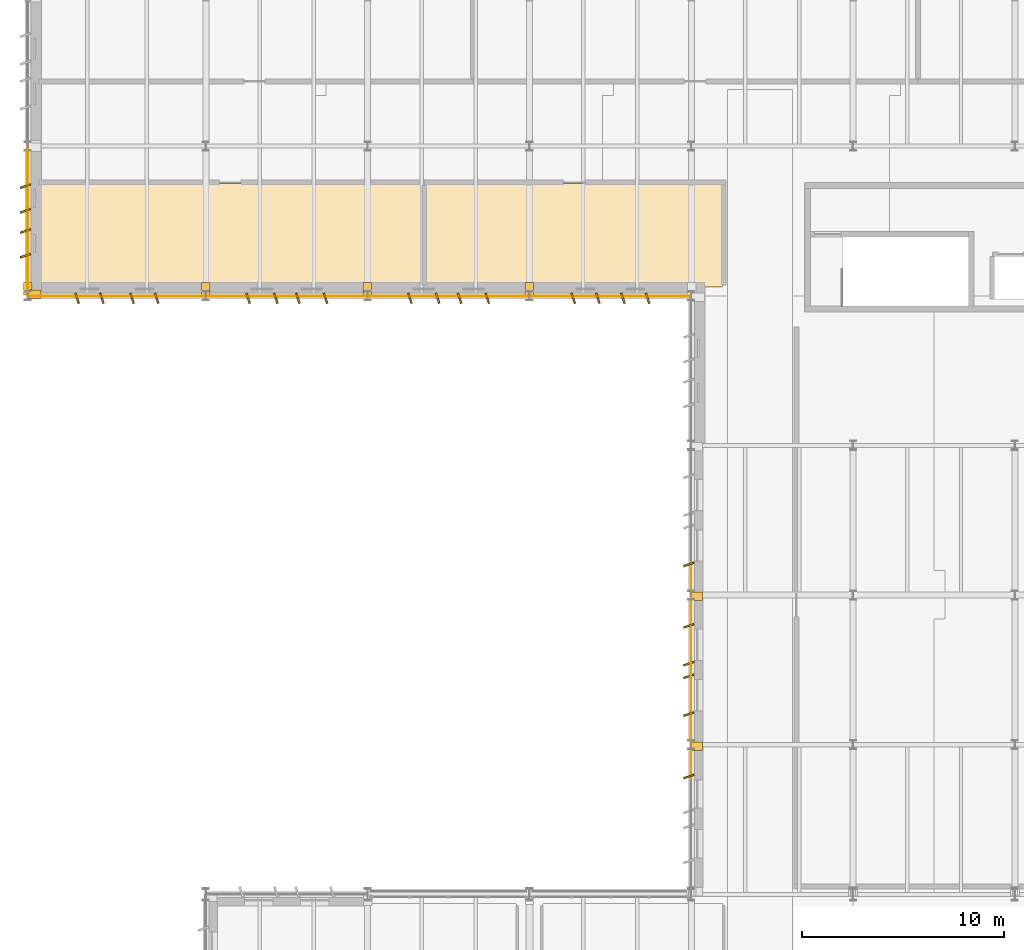
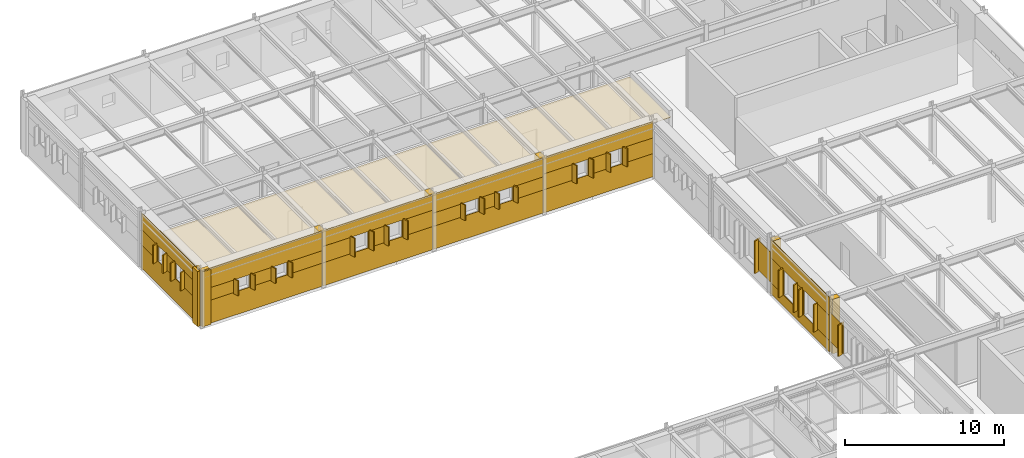
# One storey, part 62 of 75: 67 coverings.
"""IFC4 building model written with IfcOpenShell, lengths in metres."""

from ifc_helpers import new_model, si_unit, direction, frame, frame_2d, origin, origin_2d, place, context, subcontext, project, spatial, polyline, rectangle, outline, extrude, material, layer, layer_set, type_object, element, save


model = new_model("IFC4")

# Units and contexts
model_context = context("Model", 3, precision=1e-05, world=origin(), true_north=direction((0.0, 1.0)))
body_context = subcontext(model_context, "Body", "Model", "MODEL_VIEW")
ifc_project = project(units=[si_unit("LENGTHUNIT", "METRE"), si_unit("AREAUNIT", "SQUARE_METRE"), si_unit("VOLUMEUNIT", "CUBIC_METRE"), si_unit("PLANEANGLEUNIT", "RADIAN"), si_unit("MASSUNIT", "GRAM", prefix="KILO")], contexts=[model_context])

# Site, building, storey
site_placement = place(None, origin())
site = spatial("IfcSite", under=ifc_project, at=site_placement, CompositionType="ELEMENT")
building_placement = place(site_placement, origin())
building = spatial("IfcBuilding", under=site, at=building_placement, Name="Valkorina Park Police Headquarters", CompositionType="ELEMENT")
storey_placement = place(building_placement, frame((0.0, 0.0, 5.39990234375)))
storey = spatial("IfcBuildingStorey", under=building, at=storey_placement, Name="L02", CompositionType="ELEMENT", Elevation=5.39990234375)

# Coverings
ifc_material_1 = material(Name="Acoustic mineral board")
ifc_layer_1 = layer(ifc_material_1, 0.02490234375)
ifc_layer_set_1 = layer_set([ifc_layer_1], Name="Acoustic mineral board")
covering_type_1 = type_object("IfcCoveringType", Name="COV-CEILING-ACOUST", PredefinedType="CEILING", material=ifc_layer_set_1)
covering_1_placement = place(storey_placement, frame((0.0, 0.0, 3.705078125)))
element("IfcCovering", 1, at=covering_1_placement, inside=storey, type_object=covering_type_1, Name="Detention Cell Block C (Juvenile Segregated) Acoustic Suspended Ceiling", PredefinedType="CEILING", context=body_context, shape_type="SweptSolid", body=[
    extrude(outline(polyline([(19.55859375, 89.304443359375), (19.5595703125, 89.312255859375), (19.56005859375, 89.320068359375), (19.56005859375, 94.280029296875), (19.5595703125, 94.287841796875), (19.55859375, 94.295654296875), (19.556640625, 94.30322265625), (19.553955078125, 94.310546875), (19.550537109375, 94.317626953125), (19.54638671875, 94.324462890625), (19.541748046875, 94.330810546875), (19.53662109375, 94.336669921875), (19.53076171875, 94.341796875), (19.5244140625, 94.346435546875), (19.517578125, 94.3505859375), (19.510498046875, 94.35400390625), (19.503173828125, 94.356689453125), (19.49560546875, 94.3583984375), (19.48779296875, 94.359619140625), (19.47998046875, 94.360107421875), (0.52001953125, 94.360107421875), (0.51220703125, 94.359619140625), (0.50439453125, 94.3583984375), (0.496826171875, 94.356689453125), (0.489501953125, 94.35400390625), (0.482421875, 94.3505859375), (0.4755859375, 94.346435546875), (0.46923828125, 94.341796875), (0.46337890625, 94.336669921875), (0.458251953125, 94.330810546875), (0.45361328125, 94.324462890625), (0.449462890625, 94.317626953125), (0.446044921875, 94.310546875), (0.443359375, 94.30322265625), (0.44140625, 94.295654296875), (0.4404296875, 94.287841796875), (0.43994140625, 94.280029296875), (0.43994140625, 89.320068359375), (0.4404296875, 89.312255859375), (0.44140625, 89.304443359375), (0.443359375, 89.296875), (0.446044921875, 89.289306640625), (0.449462890625, 89.2822265625), (0.45361328125, 89.275634765625), (0.458251953125, 89.269287109375), (0.46337890625, 89.263427734375), (0.46923828125, 89.25830078125), (0.4755859375, 89.25341796875), (0.482421875, 89.24951171875), (0.489501953125, 89.24609375), (0.496826171875, 89.243408203125), (0.50439453125, 89.241455078125), (0.51220703125, 89.240478515625), (0.52001953125, 89.239990234375), (19.47998046875, 89.239990234375), (19.48779296875, 89.240478515625), (19.49560546875, 89.241455078125), (19.503173828125, 89.243408203125), (19.510498046875, 89.24609375), (19.517578125, 89.24951171875), (19.5244140625, 89.25341796875), (19.53076171875, 89.25830078125), (19.53662109375, 89.263427734375), (19.541748046875, 89.269287109375), (19.54638671875, 89.275634765625), (19.550537109375, 89.2822265625), (19.553955078125, 89.289306640625), (19.556640625, 89.296875), (19.55859375, 89.304443359375)])), origin(), (0.0, 0.0, 1.0), 0.02490234375),
])
covering_2_placement = place(storey_placement, frame((0.0, 0.0, 3.705078125)))
element("IfcCovering", 2, at=covering_2_placement, inside=storey, type_object=covering_type_1, Name="Detention Cell Block D (Constant Observation) Acoustic Suspended Ceiling", PredefinedType="CEILING", context=body_context, shape_type="SweptSolid", body=[
    extrude(outline(polyline([(34.3583984375, 89.304443359375), (34.359619140625, 89.312255859375), (34.360107421875, 89.320068359375), (34.360107421875, 94.280029296875), (34.359619140625, 94.287841796875), (34.3583984375, 94.295654296875), (34.356689453125, 94.30322265625), (34.35400390625, 94.310546875), (34.3505859375, 94.317626953125), (34.346435546875, 94.324462890625), (34.341796875, 94.330810546875), (34.336669921875, 94.336669921875), (34.330810546875, 94.341796875), (34.324462890625, 94.346435546875), (34.317626953125, 94.3505859375), (34.310546875, 94.35400390625), (34.30322265625, 94.356689453125), (34.295654296875, 94.3583984375), (34.287841796875, 94.359619140625), (34.280029296875, 94.360107421875), (19.719970703125, 94.360107421875), (19.712158203125, 94.359619140625), (19.704345703125, 94.3583984375), (19.69677734375, 94.356689453125), (19.689453125, 94.35400390625), (19.682373046875, 94.3505859375), (19.675537109375, 94.346435546875), (19.669189453125, 94.341796875), (19.663330078125, 94.336669921875), (19.658203125, 94.330810546875), (19.653564453125, 94.324462890625), (19.6494140625, 94.317626953125), (19.64599609375, 94.310546875), (19.643310546875, 94.30322265625), (19.6416015625, 94.295654296875), (19.640380859375, 94.287841796875), (19.639892578125, 94.280029296875), (19.639892578125, 89.320068359375), (19.640380859375, 89.312255859375), (19.6416015625, 89.304443359375), (19.643310546875, 89.296875), (19.64599609375, 89.289306640625), (19.6494140625, 89.2822265625), (19.653564453125, 89.275634765625), (19.658203125, 89.269287109375), (19.663330078125, 89.263427734375), (19.669189453125, 89.25830078125), (19.675537109375, 89.25341796875), (19.682373046875, 89.24951171875), (19.689453125, 89.24609375), (19.69677734375, 89.243408203125), (19.704345703125, 89.241455078125), (19.712158203125, 89.240478515625), (19.719970703125, 89.239990234375), (34.280029296875, 89.239990234375), (34.287841796875, 89.240478515625), (34.295654296875, 89.241455078125), (34.30322265625, 89.243408203125), (34.310546875, 89.24609375), (34.317626953125, 89.24951171875), (34.324462890625, 89.25341796875), (34.330810546875, 89.25830078125), (34.336669921875, 89.263427734375), (34.341796875, 89.269287109375), (34.346435546875, 89.275634765625), (34.3505859375, 89.2822265625), (34.35400390625, 89.289306640625), (34.356689453125, 89.296875), (34.3583984375, 89.304443359375)])), origin(), (0.0, 0.0, 1.0), 0.02490234375),
])
ifc_material_2 = material(Name="Precast concrete C40/50", Category="concrete")
ifc_layer_2 = layer(ifc_material_2, 0.044921875)
ifc_layer_set_2 = layer_set([ifc_layer_2], Name="Precast concrete C40/50")
covering_type_2 = type_object("IfcCoveringType", Name="COV-CLAD-DOLOMITE", PredefinedType="CLADDING", material=ifc_layer_set_2)
covering_3_placement = place(storey_placement, frame((33.090087890625, 66.534912109375, 0.000244140625), z_axis=(0.0, 0.0, 1.0), x_axis=(0.0, 1.0, 0.0)))
element("IfcCovering", 3, at=covering_3_placement, inside=storey, type_object=covering_type_2, Name="L02 Exterior Joint Closure Pilaster B 1014", PredefinedType="CLADDING", context=body_context, shape_type="SweptSolid", body=[
    extrude(rectangle(XDim=0.419921875, YDim=0.52197265625, at=origin_2d()), origin(), (0.0, 0.0, 1.0), 4.169921875),
])
covering_4_placement = place(storey_placement, frame((32.679931640625, 65.031494140625, 0.7802734375), z_axis=(0.0, 0.0, 1.0), x_axis=(-0.948323655206, -0.317304656405, 0.0)))
element("IfcCovering", 4, at=covering_4_placement, inside=storey, type_object=covering_type_2, Name="Slanted 18.5-deg Precast Window Slot Fin 1018", PredefinedType="CLADDING", context=body_context, shape_type="SweptSolid", body=[
    extrude(rectangle(XDim=0.5400390625, YDim=0.090087890625, at=origin_2d()), origin(), (0.0, 0.0, 1.0), 2.389892578125),
])
covering_5_placement = place(storey_placement, frame((32.784912109375, 64.92138671875, 0.8701171875), z_axis=(0.0, 0.0, 1.0), x_axis=(0.0, 1.0, 0.0)))
element("IfcCovering", 5, at=covering_5_placement, inside=storey, type_object=covering_type_2, Name="L02 Calm Concrete Base Slot Pier 1023", PredefinedType="CLADDING", context=body_context, shape_type="SweptSolid", body=[
    extrude(rectangle(XDim=1.65869140625, YDim=0.044921875, at=frame_2d((0.829345703125, 0.0))), origin(), (0.0, 0.0, 1.0), 2.2099609375),
])
covering_6_placement = place(storey_placement, frame((33.090087890625, 73.93505859375, 0.000244140625), z_axis=(0.0, 0.0, 1.0), x_axis=(0.0, 1.0, 0.0)))
element("IfcCovering", 6, at=covering_6_placement, inside=storey, type_object=covering_type_2, Name="L02 Exterior Joint Closure Pilaster B 1024", PredefinedType="CLADDING", context=body_context, shape_type="SweptSolid", body=[
    extrude(rectangle(XDim=0.419921875, YDim=0.52197265625, at=origin_2d()), origin(), (0.0, 0.0, 1.0), 4.169921875),
])
for number, where, z_axis, x_axis, name in (
    (7, (32.679931640625, 68.11767578125, 0.7802734375), (0.0, 0.0, 1.0), (-0.948323655206, -0.317304656405, 0.0), "Slanted 18.5-deg Precast Window Slot Fin 1025"),
    (8, (32.679931640625, 69.987548828125, 0.7802734375), (0.0, 0.0, 1.0), (-0.948323655206, -0.317304656405, 0.0), "Slanted 18.5-deg Precast Window Slot Fin 1026"),
    (9, (32.679931640625, 70.6123046875, 0.7802734375), (0.0, 0.0, 1.0), (-0.948323655206, -0.317304656405, 0.0), "Slanted 18.5-deg Precast Window Slot Fin 1027"),
    (10, (32.679931640625, 72.482421875, 0.7802734375), (0.0, 0.0, 1.0), (-0.948323655206, -0.317304656405, 0.0), "Slanted 18.5-deg Precast Window Slot Fin 1028"),
):
    element("IfcCovering", number, at=place(storey_placement, frame(where, z_axis=z_axis, x_axis=x_axis)), inside=storey, type_object=covering_type_2, Name=name, PredefinedType="CLADDING", context=body_context, shape_type="SweptSolid", body=[
        extrude(rectangle(XDim=0.5400390625, YDim=0.090087890625, at=origin_2d()), origin(), (0.0, 0.0, 1.0), 2.090087890625),
    ])
covering_7_placement = place(storey_placement, frame((32.784912109375, 66.6201171875, 0.0), z_axis=(0.0, 0.0, 1.0), x_axis=(0.0, 1.0, 0.0)))
element("IfcCovering", 11, at=covering_7_placement, inside=storey, type_object=covering_type_2, Name="L02 Calm Concrete Base Sill Spandrel 1029", PredefinedType="CLADDING", context=body_context, shape_type="SweptSolid", body=[
    extrude(rectangle(XDim=7.35986328125, YDim=0.044921875, at=frame_2d((3.679931640625, 0.0))), origin(), (0.0, 0.0, 1.0), 0.8701171875),
])
covering_8_placement = place(storey_placement, frame((32.784912109375, 66.6201171875, 2.780029296875), z_axis=(0.0, 0.0, 1.0), x_axis=(0.0, 1.0, 0.0)))
element("IfcCovering", 12, at=covering_8_placement, inside=storey, type_object=covering_type_2, Name="L02 Calm Concrete Base Lintel Spandrel 1030", PredefinedType="CLADDING", context=body_context, shape_type="SweptSolid", body=[
    extrude(rectangle(XDim=7.35986328125, YDim=0.044921875, at=frame_2d((3.679931640625, 0.0))), origin(), (0.0, 0.0, 1.0), 1.39013671875),
])
covering_9_placement = place(storey_placement, frame((32.784912109375, 66.6201171875, 0.8701171875), z_axis=(0.0, 0.0, 1.0), x_axis=(0.0, 1.0, 0.0)))
element("IfcCovering", 13, at=covering_9_placement, inside=storey, type_object=covering_type_2, Name="L02 Calm Concrete Base Slot Pier 1031", PredefinedType="CLADDING", context=body_context, shape_type="SweptSolid", body=[
    extrude(rectangle(XDim=1.607421875, YDim=0.044921875, at=frame_2d((0.8037109375, 0.0))), origin(), (0.0, 0.0, 1.0), 1.909912109375),
])
covering_10_placement = place(storey_placement, frame((32.784912109375, 69.877685546875, 0.8701171875), z_axis=(0.0, 0.0, 1.0), x_axis=(0.0, 1.0, 0.0)))
element("IfcCovering", 14, at=covering_10_placement, inside=storey, type_object=covering_type_2, Name="L02 Calm Concrete Base Slot Pier 1032", PredefinedType="CLADDING", context=body_context, shape_type="SweptSolid", body=[
    extrude(rectangle(XDim=0.8447265625, YDim=0.044921875, at=frame_2d((0.42236328125, 0.0))), origin(), (0.0, 0.0, 1.0), 1.909912109375),
])
covering_11_placement = place(storey_placement, frame((32.784912109375, 72.372314453125, 0.8701171875), z_axis=(0.0, 0.0, 1.0), x_axis=(0.0, 1.0, 0.0)))
element("IfcCovering", 15, at=covering_11_placement, inside=storey, type_object=covering_type_2, Name="L02 Calm Concrete Base Slot Pier 1033", PredefinedType="CLADDING", context=body_context, shape_type="SweptSolid", body=[
    extrude(rectangle(XDim=1.607666015625, YDim=0.044921875, at=frame_2d((0.8037109375, 0.0))), origin(), (0.0, 0.0, 1.0), 1.909912109375),
])
covering_12_placement = place(storey_placement, frame((32.679931640625, 75.517578125, 0.7802734375), z_axis=(0.0, 0.0, 1.0), x_axis=(-0.948323655206, -0.317304656405, 0.0)))
element("IfcCovering", 16, at=covering_12_placement, inside=storey, type_object=covering_type_2, Name="Slanted 18.5-deg Precast Window Slot Fin 1035", PredefinedType="CLADDING", context=body_context, shape_type="SweptSolid", body=[
    extrude(rectangle(XDim=0.5400390625, YDim=0.090087890625, at=origin_2d()), origin(), (0.0, 0.0, 1.0), 2.489990234375),
])
covering_13_placement = place(storey_placement, frame((32.784912109375, 74.02001953125, 0.8701171875), z_axis=(0.0, 0.0, 1.0), x_axis=(0.0, 1.0, 0.0)))
element("IfcCovering", 17, at=covering_13_placement, inside=storey, type_object=covering_type_2, Name="L02 Calm Concrete Base Slot Pier 1041", PredefinedType="CLADDING", context=body_context, shape_type="SweptSolid", body=[
    extrude(rectangle(XDim=1.607666015625, YDim=0.044921875, at=frame_2d((0.8037109375, 0.0))), origin(), (0.0, 0.0, 1.0), 2.31005859375),
])
covering_14_placement = place(storey_placement, frame((24.7900390625, 89.139892578125, 0.0), z_axis=(0.0, 0.0, 1.0), x_axis=(1.0, 0.0, 0.0)))
element("IfcCovering", 18, at=covering_14_placement, inside=storey, type_object=covering_type_2, Name="L02 Exterior Joint Closure Pilaster B 1055", PredefinedType="CLADDING", context=body_context, shape_type="SweptSolid", body=[
    extrude(rectangle(XDim=0.419921875, YDim=0.612060546875, at=origin_2d()), origin(), (0.0, 0.0, 1.0), 4.219970703125),
])
for number, where, z_axis, x_axis, name in (
    (19, (30.638916015625, 88.679931640625, 1.68017578125), (0.0, 0.0, 1.0), (0.317304656405, -0.948323655206, 0.0), "Slanted 18.5-deg Precast Window Slot Fin 1056"),
    (20, (29.418701171875, 88.679931640625, 1.68017578125), (0.0, 0.0, 1.0), (0.317304656405, -0.948323655206, 0.0), "Slanted 18.5-deg Precast Window Slot Fin 1057"),
    (21, (28.18115234375, 88.679931640625, 1.68017578125), (0.0, 0.0, 1.0), (0.317304656405, -0.948323655206, 0.0), "Slanted 18.5-deg Precast Window Slot Fin 1058"),
    (22, (26.961181640625, 88.679931640625, 1.68017578125), (0.0, 0.0, 1.0), (0.317304656405, -0.948323655206, 0.0), "Slanted 18.5-deg Precast Window Slot Fin 1059"),
):
    element("IfcCovering", number, at=place(storey_placement, frame(where, z_axis=z_axis, x_axis=x_axis)), inside=storey, type_object=covering_type_2, Name=name, PredefinedType="CLADDING", context=body_context, shape_type="SweptSolid", body=[
        extrude(rectangle(XDim=0.5400390625, YDim=0.090087890625, at=origin_2d()), origin(), (0.0, 0.0, 1.0), 1.389892578125),
    ])
covering_15_placement = place(storey_placement, frame((32.780029296875, 88.784912109375, 0.0), z_axis=(0.0, 0.0, 1.0), x_axis=(-1.0, 0.0, 0.0)))
element("IfcCovering", 23, at=covering_15_placement, inside=storey, type_object=covering_type_2, Name="L02 Calm Concrete Base Sill Spandrel 1060", PredefinedType="CLADDING", context=body_context, shape_type="SweptSolid", body=[
    extrude(rectangle(XDim=7.9599609375, YDim=0.044921875, at=frame_2d((3.97998046875, 0.0))), origin(), (0.0, 0.0, 1.0), 1.77001953125),
])
covering_16_placement = place(storey_placement, frame((32.780029296875, 88.784912109375, 2.97998046875), z_axis=(0.0, 0.0, 1.0), x_axis=(-1.0, 0.0, 0.0)))
element("IfcCovering", 24, at=covering_16_placement, inside=storey, type_object=covering_type_2, Name="L02 Calm Concrete Base Lintel Spandrel 1061", PredefinedType="CLADDING", context=body_context, shape_type="SweptSolid", body=[
    extrude(rectangle(XDim=7.9599609375, YDim=0.044921875, at=frame_2d((3.97998046875, 0.0))), origin(), (0.0, 0.0, 1.0), 1.240234375),
])
covering_17_placement = place(storey_placement, frame((32.780029296875, 88.784912109375, 1.77001953125), z_axis=(0.0, 0.0, 1.0), x_axis=(-1.0, 0.0, 0.0)))
element("IfcCovering", 25, at=covering_17_placement, inside=storey, type_object=covering_type_2, Name="L02 Calm Concrete Base Slot Pier 1062", PredefinedType="CLADDING", context=body_context, shape_type="SweptSolid", body=[
    extrude(rectangle(XDim=2.251220703125, YDim=0.044921875, at=frame_2d((1.12548828125, 0.0))), origin(), (0.0, 0.0, 1.0), 1.2099609375),
])
covering_18_placement = place(storey_placement, frame((29.52880859375, 88.784912109375, 1.77001953125), z_axis=(0.0, 0.0, 1.0), x_axis=(-1.0, 0.0, 0.0)))
element("IfcCovering", 26, at=covering_18_placement, inside=storey, type_object=covering_type_2, Name="L02 Calm Concrete Base Slot Pier 1063", PredefinedType="CLADDING", context=body_context, shape_type="SweptSolid", body=[
    extrude(rectangle(XDim=1.45751953125, YDim=0.044921875, at=frame_2d((0.728759765625, 0.0))), origin(), (0.0, 0.0, 1.0), 1.2099609375),
])
covering_19_placement = place(storey_placement, frame((27.0712890625, 88.784912109375, 1.77001953125), z_axis=(0.0, 0.0, 1.0), x_axis=(-1.0, 0.0, 0.0)))
element("IfcCovering", 27, at=covering_19_placement, inside=storey, type_object=covering_type_2, Name="L02 Calm Concrete Base Slot Pier 1064", PredefinedType="CLADDING", context=body_context, shape_type="SweptSolid", body=[
    extrude(rectangle(XDim=2.251220703125, YDim=0.044921875, at=frame_2d((1.12548828125, 0.0))), origin(), (0.0, 0.0, 1.0), 1.2099609375),
])
covering_20_placement = place(storey_placement, frame((16.7900390625, 89.139892578125, 0.0), z_axis=(0.0, 0.0, 1.0), x_axis=(1.0, 0.0, 0.0)))
element("IfcCovering", 28, at=covering_20_placement, inside=storey, type_object=covering_type_2, Name="L02 Exterior Joint Closure Pilaster B 1065", PredefinedType="CLADDING", context=body_context, shape_type="SweptSolid", body=[
    extrude(rectangle(XDim=0.419921875, YDim=0.612060546875, at=origin_2d()), origin(), (0.0, 0.0, 1.0), 4.219970703125),
])
for number, where, z_axis, x_axis, name in (
    (29, (22.7138671875, 88.679931640625, 1.68017578125), (0.0, 0.0, 1.0), (0.317304656405, -0.948323655206, 0.0), "Slanted 18.5-deg Precast Window Slot Fin 1066"),
    (30, (21.34375, 88.679931640625, 1.68017578125), (0.0, 0.0, 1.0), (0.317304656405, -0.948323655206, 0.0), "Slanted 18.5-deg Precast Window Slot Fin 1067"),
    (31, (20.256103515625, 88.679931640625, 1.68017578125), (0.0, 0.0, 1.0), (0.317304656405, -0.948323655206, 0.0), "Slanted 18.5-deg Precast Window Slot Fin 1068"),
    (32, (18.88623046875, 88.679931640625, 1.68017578125), (0.0, 0.0, 1.0), (0.317304656405, -0.948323655206, 0.0), "Slanted 18.5-deg Precast Window Slot Fin 1069"),
):
    element("IfcCovering", number, at=place(storey_placement, frame(where, z_axis=z_axis, x_axis=x_axis)), inside=storey, type_object=covering_type_2, Name=name, PredefinedType="CLADDING", context=body_context, shape_type="SweptSolid", body=[
        extrude(rectangle(XDim=0.5400390625, YDim=0.090087890625, at=origin_2d()), origin(), (0.0, 0.0, 1.0), 1.18994140625),
    ])
covering_21_placement = place(storey_placement, frame((24.780029296875, 88.784912109375, 0.0), z_axis=(0.0, 0.0, 1.0), x_axis=(-1.0, 0.0, 0.0)))
element("IfcCovering", 33, at=covering_21_placement, inside=storey, type_object=covering_type_2, Name="L02 Calm Concrete Base Sill Spandrel 1070", PredefinedType="CLADDING", context=body_context, shape_type="SweptSolid", body=[
    extrude(rectangle(XDim=7.9599609375, YDim=0.044921875, at=frame_2d((3.97998046875, 0.0))), origin(), (0.0, 0.0, 1.0), 1.77001953125),
])
covering_22_placement = place(storey_placement, frame((24.780029296875, 88.784912109375, 2.780029296875), z_axis=(0.0, 0.0, 1.0), x_axis=(-1.0, 0.0, 0.0)))
element("IfcCovering", 34, at=covering_22_placement, inside=storey, type_object=covering_type_2, Name="L02 Calm Concrete Base Lintel Spandrel 1071", PredefinedType="CLADDING", context=body_context, shape_type="SweptSolid", body=[
    extrude(rectangle(XDim=7.9599609375, YDim=0.044921875, at=frame_2d((3.97998046875, 0.0))), origin(), (0.0, 0.0, 1.0), 1.440185546875),
])
covering_23_placement = place(storey_placement, frame((24.780029296875, 88.784912109375, 1.77001953125), z_axis=(0.0, 0.0, 1.0), x_axis=(-1.0, 0.0, 0.0)))
element("IfcCovering", 35, at=covering_23_placement, inside=storey, type_object=covering_type_2, Name="L02 Calm Concrete Base Slot Pier 1072", PredefinedType="CLADDING", context=body_context, shape_type="SweptSolid", body=[
    extrude(rectangle(XDim=2.17626953125, YDim=0.044921875, at=frame_2d((1.088134765625, 0.0))), origin(), (0.0, 0.0, 1.0), 1.010009765625),
])
covering_24_placement = place(storey_placement, frame((21.453857421875, 88.784912109375, 1.77001953125), z_axis=(0.0, 0.0, 1.0), x_axis=(-1.0, 0.0, 0.0)))
element("IfcCovering", 36, at=covering_24_placement, inside=storey, type_object=covering_type_2, Name="L02 Calm Concrete Base Slot Pier 1073", PredefinedType="CLADDING", context=body_context, shape_type="SweptSolid", body=[
    extrude(rectangle(XDim=1.3076171875, YDim=0.044921875, at=frame_2d((0.65380859375, 0.0))), origin(), (0.0, 0.0, 1.0), 1.010009765625),
])
covering_25_placement = place(storey_placement, frame((18.99609375, 88.784912109375, 1.77001953125), z_axis=(0.0, 0.0, 1.0), x_axis=(-1.0, 0.0, 0.0)))
element("IfcCovering", 37, at=covering_25_placement, inside=storey, type_object=covering_type_2, Name="L02 Calm Concrete Base Slot Pier 1074", PredefinedType="CLADDING", context=body_context, shape_type="SweptSolid", body=[
    extrude(rectangle(XDim=2.176025390625, YDim=0.044921875, at=frame_2d((1.087890625, 0.0))), origin(), (0.0, 0.0, 1.0), 1.010009765625),
])
covering_26_placement = place(storey_placement, frame((8.7900390625, 89.139892578125, 0.0), z_axis=(0.0, 0.0, 1.0), x_axis=(1.0, 0.0, 0.0)))
element("IfcCovering", 38, at=covering_26_placement, inside=storey, type_object=covering_type_2, Name="L02 Exterior Joint Closure Pilaster B 1075", PredefinedType="CLADDING", context=body_context, shape_type="SweptSolid", body=[
    extrude(rectangle(XDim=0.419921875, YDim=0.612060546875, at=origin_2d()), origin(), (0.0, 0.0, 1.0), 4.219970703125),
])
for number, where, z_axis, x_axis, name in (
    (39, (14.7138671875, 88.679931640625, 1.68017578125), (0.0, 0.0, 1.0), (0.317304656405, -0.948323655206, 0.0), "Slanted 18.5-deg Precast Window Slot Fin 1076"),
    (40, (13.34375, 88.679931640625, 1.68017578125), (0.0, 0.0, 1.0), (0.317304656405, -0.948323655206, 0.0), "Slanted 18.5-deg Precast Window Slot Fin 1077"),
    (41, (12.256103515625, 88.679931640625, 1.68017578125), (0.0, 0.0, 1.0), (0.317304656405, -0.948323655206, 0.0), "Slanted 18.5-deg Precast Window Slot Fin 1078"),
    (42, (10.88623046875, 88.679931640625, 1.68017578125), (0.0, 0.0, 1.0), (0.317304656405, -0.948323655206, 0.0), "Slanted 18.5-deg Precast Window Slot Fin 1079"),
):
    element("IfcCovering", number, at=place(storey_placement, frame(where, z_axis=z_axis, x_axis=x_axis)), inside=storey, type_object=covering_type_2, Name=name, PredefinedType="CLADDING", context=body_context, shape_type="SweptSolid", body=[
        extrude(rectangle(XDim=0.5400390625, YDim=0.090087890625, at=origin_2d()), origin(), (0.0, 0.0, 1.0), 1.43994140625),
    ])
covering_27_placement = place(storey_placement, frame((16.780029296875, 88.784912109375, 0.0), z_axis=(0.0, 0.0, 1.0), x_axis=(-1.0, 0.0, 0.0)))
element("IfcCovering", 43, at=covering_27_placement, inside=storey, type_object=covering_type_2, Name="L02 Calm Concrete Base Sill Spandrel 1080", PredefinedType="CLADDING", context=body_context, shape_type="SweptSolid", body=[
    extrude(rectangle(XDim=7.9599609375, YDim=0.044921875, at=frame_2d((3.97998046875, 0.0))), origin(), (0.0, 0.0, 1.0), 1.77001953125),
])
covering_28_placement = place(storey_placement, frame((16.780029296875, 88.784912109375, 3.030029296875), z_axis=(0.0, 0.0, 1.0), x_axis=(-1.0, 0.0, 0.0)))
element("IfcCovering", 44, at=covering_28_placement, inside=storey, type_object=covering_type_2, Name="L02 Calm Concrete Base Lintel Spandrel 1081", PredefinedType="CLADDING", context=body_context, shape_type="SweptSolid", body=[
    extrude(rectangle(XDim=7.9599609375, YDim=0.044921875, at=frame_2d((3.97998046875, 0.0))), origin(), (0.0, 0.0, 1.0), 1.190185546875),
])
covering_29_placement = place(storey_placement, frame((16.780029296875, 88.784912109375, 1.77001953125), z_axis=(0.0, 0.0, 1.0), x_axis=(-1.0, 0.0, 0.0)))
element("IfcCovering", 45, at=covering_29_placement, inside=storey, type_object=covering_type_2, Name="L02 Calm Concrete Base Slot Pier 1082", PredefinedType="CLADDING", context=body_context, shape_type="SweptSolid", body=[
    extrude(rectangle(XDim=2.17626953125, YDim=0.044921875, at=frame_2d((1.088134765625, 0.0))), origin(), (0.0, 0.0, 1.0), 1.260009765625),
])
covering_30_placement = place(storey_placement, frame((13.453857421875, 88.784912109375, 1.77001953125), z_axis=(0.0, 0.0, 1.0), x_axis=(-1.0, 0.0, 0.0)))
element("IfcCovering", 46, at=covering_30_placement, inside=storey, type_object=covering_type_2, Name="L02 Calm Concrete Base Slot Pier 1083", PredefinedType="CLADDING", context=body_context, shape_type="SweptSolid", body=[
    extrude(rectangle(XDim=1.3076171875, YDim=0.044921875, at=frame_2d((0.65380859375, 0.0))), origin(), (0.0, 0.0, 1.0), 1.260009765625),
])
covering_31_placement = place(storey_placement, frame((10.99609375, 88.784912109375, 1.77001953125), z_axis=(0.0, 0.0, 1.0), x_axis=(-1.0, 0.0, 0.0)))
element("IfcCovering", 47, at=covering_31_placement, inside=storey, type_object=covering_type_2, Name="L02 Calm Concrete Base Slot Pier 1084", PredefinedType="CLADDING", context=body_context, shape_type="SweptSolid", body=[
    extrude(rectangle(XDim=2.176025390625, YDim=0.044921875, at=frame_2d((1.087890625, 0.0))), origin(), (0.0, 0.0, 1.0), 1.260009765625),
])
covering_32_placement = place(storey_placement, frame((-0.010009765625, 89.139892578125, 0.0), z_axis=(0.0, 0.0, 1.0), x_axis=(1.0, 0.0, 0.0)))
element("IfcCovering", 48, at=covering_32_placement, inside=storey, type_object=covering_type_2, Name="L02 Exterior Joint Closure Pilaster B 1085", PredefinedType="CLADDING", context=body_context, shape_type="SweptSolid", body=[
    extrude(rectangle(XDim=0.419921875, YDim=0.612060546875, at=origin_2d()), origin(), (0.0, 0.0, 1.0), 4.219970703125),
])
for number, where, z_axis, x_axis, name in (
    (49, (6.36669921875, 88.679931640625, 1.68017578125), (0.0, 0.0, 1.0), (0.317304656405, -0.948323655206, 0.0), "Slanted 18.5-deg Precast Window Slot Fin 1086"),
    (50, (5.146728515625, 88.679931640625, 1.68017578125), (0.0, 0.0, 1.0), (0.317304656405, -0.948323655206, 0.0), "Slanted 18.5-deg Precast Window Slot Fin 1087"),
    (51, (3.6533203125, 88.679931640625, 1.68017578125), (0.0, 0.0, 1.0), (0.317304656405, -0.948323655206, 0.0), "Slanted 18.5-deg Precast Window Slot Fin 1088"),
    (52, (2.43310546875, 88.679931640625, 1.68017578125), (0.0, 0.0, 1.0), (0.317304656405, -0.948323655206, 0.0), "Slanted 18.5-deg Precast Window Slot Fin 1089"),
):
    element("IfcCovering", number, at=place(storey_placement, frame(where, z_axis=z_axis, x_axis=x_axis)), inside=storey, type_object=covering_type_2, Name=name, PredefinedType="CLADDING", context=body_context, shape_type="SweptSolid", body=[
        extrude(rectangle(XDim=0.5400390625, YDim=0.090087890625, at=origin_2d()), origin(), (0.0, 0.0, 1.0), 1.139892578125),
    ])
covering_33_placement = place(storey_placement, frame((8.780029296875, 88.784912109375, 0.0), z_axis=(0.0, 0.0, 1.0), x_axis=(-1.0, 0.0, 0.0)))
element("IfcCovering", 53, at=covering_33_placement, inside=storey, type_object=covering_type_2, Name="L02 Calm Concrete Base Sill Spandrel 1090", PredefinedType="CLADDING", context=body_context, shape_type="SweptSolid", body=[
    extrude(rectangle(XDim=8.760009765625, YDim=0.044921875, at=frame_2d((4.3798828125, 0.0))), origin(), (0.0, 0.0, 1.0), 1.77001953125),
])
covering_34_placement = place(storey_placement, frame((8.780029296875, 88.784912109375, 2.72998046875), z_axis=(0.0, 0.0, 1.0), x_axis=(-1.0, 0.0, 0.0)))
element("IfcCovering", 54, at=covering_34_placement, inside=storey, type_object=covering_type_2, Name="L02 Calm Concrete Base Lintel Spandrel 1091", PredefinedType="CLADDING", context=body_context, shape_type="SweptSolid", body=[
    extrude(rectangle(XDim=8.760009765625, YDim=0.044921875, at=frame_2d((4.3798828125, 0.0))), origin(), (0.0, 0.0, 1.0), 1.490234375),
])
covering_35_placement = place(storey_placement, frame((8.780029296875, 88.784912109375, 1.77001953125), z_axis=(0.0, 0.0, 1.0), x_axis=(-1.0, 0.0, 0.0)))
element("IfcCovering", 55, at=covering_35_placement, inside=storey, type_object=covering_type_2, Name="L02 Calm Concrete Base Slot Pier 1092", PredefinedType="CLADDING", context=body_context, shape_type="SweptSolid", body=[
    extrude(rectangle(XDim=2.523193359375, YDim=0.044921875, at=frame_2d((1.26171875, 0.0))), origin(), (0.0, 0.0, 1.0), 0.9599609375),
])
covering_36_placement = place(storey_placement, frame((5.2568359375, 88.784912109375, 1.77001953125), z_axis=(0.0, 0.0, 1.0), x_axis=(-1.0, 0.0, 0.0)))
element("IfcCovering", 56, at=covering_36_placement, inside=storey, type_object=covering_type_2, Name="L02 Calm Concrete Base Slot Pier 1093", PredefinedType="CLADDING", context=body_context, shape_type="SweptSolid", body=[
    extrude(rectangle(XDim=1.713623046875, YDim=0.044921875, at=frame_2d((0.85693359375, 0.0))), origin(), (0.0, 0.0, 1.0), 0.9599609375),
])
covering_37_placement = place(storey_placement, frame((2.543212890625, 88.784912109375, 1.77001953125), z_axis=(0.0, 0.0, 1.0), x_axis=(-1.0, 0.0, 0.0)))
element("IfcCovering", 57, at=covering_37_placement, inside=storey, type_object=covering_type_2, Name="L02 Calm Concrete Base Slot Pier 1094", PredefinedType="CLADDING", context=body_context, shape_type="SweptSolid", body=[
    extrude(rectangle(XDim=2.523193359375, YDim=0.044921875, at=frame_2d((1.26171875, 0.0))), origin(), (0.0, 0.0, 1.0), 0.9599609375),
])
covering_38_placement = place(storey_placement, frame((0.340087890625, 88.864990234375, 0.0), z_axis=(0.0, 0.0, 1.0), x_axis=(0.0, 1.0, 0.0)))
element("IfcCovering", 58, at=covering_38_placement, inside=storey, type_object=covering_type_2, Name="L02 Exterior Joint Closure Pilaster A 1095", PredefinedType="CLADDING", context=body_context, shape_type="SweptSolid", body=[
    extrude(rectangle(XDim=0.419921875, YDim=0.612060546875, at=origin_2d()), origin(), (0.0, 0.0, 1.0), 4.219970703125),
])
for number, where, z_axis, x_axis, name in (
    (59, (-0.1201171875, 90.78125, 1.68017578125), (0.0, 0.0, 1.0), (-0.948323655206, -0.317304656405, 0.0), "Slanted 18.5-deg Precast Window Slot Fin 1097"),
    (60, (-0.1201171875, 92.001220703125, 1.68017578125), (0.0, 0.0, 1.0), (-0.948323655206, -0.317304656405, 0.0), "Slanted 18.5-deg Precast Window Slot Fin 1098"),
    (61, (-0.1201171875, 92.998779296875, 1.68017578125), (0.0, 0.0, 1.0), (-0.948323655206, -0.317304656405, 0.0), "Slanted 18.5-deg Precast Window Slot Fin 1099"),
    (62, (-0.1201171875, 94.21875, 1.68017578125), (0.0, 0.0, 1.0), (-0.948323655206, -0.317304656405, 0.0), "Slanted 18.5-deg Precast Window Slot Fin 1100"),
):
    element("IfcCovering", number, at=place(storey_placement, frame(where, z_axis=z_axis, x_axis=x_axis)), inside=storey, type_object=covering_type_2, Name=name, PredefinedType="CLADDING", context=body_context, shape_type="SweptSolid", body=[
        extrude(rectangle(XDim=0.5400390625, YDim=0.090087890625, at=origin_2d()), origin(), (0.0, 0.0, 1.0), 1.389892578125),
    ])
covering_39_placement = place(storey_placement, frame((-0.014892578125, 88.820068359375, 0.0), z_axis=(0.0, 0.0, 1.0), x_axis=(0.0, 1.0, 0.0)))
element("IfcCovering", 63, at=covering_39_placement, inside=storey, type_object=covering_type_2, Name="L02 Calm Concrete Base Sill Spandrel 1101", PredefinedType="CLADDING", context=body_context, shape_type="SweptSolid", body=[
    extrude(rectangle(XDim=7.35986328125, YDim=0.044921875, at=frame_2d((3.679931640625, 0.0))), origin(), (0.0, 0.0, 1.0), 1.77001953125),
])
covering_40_placement = place(storey_placement, frame((-0.014892578125, 88.820068359375, 2.97998046875), z_axis=(0.0, 0.0, 1.0), x_axis=(0.0, 1.0, 0.0)))
element("IfcCovering", 64, at=covering_40_placement, inside=storey, type_object=covering_type_2, Name="L02 Calm Concrete Base Lintel Spandrel 1102", PredefinedType="CLADDING", context=body_context, shape_type="SweptSolid", body=[
    extrude(rectangle(XDim=7.35986328125, YDim=0.044921875, at=frame_2d((3.679931640625, 0.0))), origin(), (0.0, 0.0, 1.0), 1.240234375),
])
covering_41_placement = place(storey_placement, frame((-0.014892578125, 88.820068359375, 1.77001953125), z_axis=(0.0, 0.0, 1.0), x_axis=(0.0, 1.0, 0.0)))
element("IfcCovering", 65, at=covering_41_placement, inside=storey, type_object=covering_type_2, Name="L02 Calm Concrete Base Slot Pier 1103", PredefinedType="CLADDING", context=body_context, shape_type="SweptSolid", body=[
    extrude(rectangle(XDim=2.071044921875, YDim=0.044921875, at=frame_2d((1.03564453125, 0.0))), origin(), (0.0, 0.0, 1.0), 1.2099609375),
])
covering_42_placement = place(storey_placement, frame((-0.014892578125, 91.89111328125, 1.77001953125), z_axis=(0.0, 0.0, 1.0), x_axis=(0.0, 1.0, 0.0)))
element("IfcCovering", 66, at=covering_42_placement, inside=storey, type_object=covering_type_2, Name="L02 Calm Concrete Base Slot Pier 1104", PredefinedType="CLADDING", context=body_context, shape_type="SweptSolid", body=[
    extrude(rectangle(XDim=1.2177734375, YDim=0.044921875, at=frame_2d((0.60888671875, 0.0))), origin(), (0.0, 0.0, 1.0), 1.2099609375),
])
covering_43_placement = place(storey_placement, frame((-0.014892578125, 94.10888671875, 1.77001953125), z_axis=(0.0, 0.0, 1.0), x_axis=(0.0, 1.0, 0.0)))
element("IfcCovering", 67, at=covering_43_placement, inside=storey, type_object=covering_type_2, Name="L02 Calm Concrete Base Slot Pier 1105", PredefinedType="CLADDING", context=body_context, shape_type="SweptSolid", body=[
    extrude(rectangle(XDim=2.071044921875, YDim=0.044921875, at=frame_2d((1.03564453125, 0.0))), origin(), (0.0, 0.0, 1.0), 1.2099609375),
])

save(model, "model.ifc")
